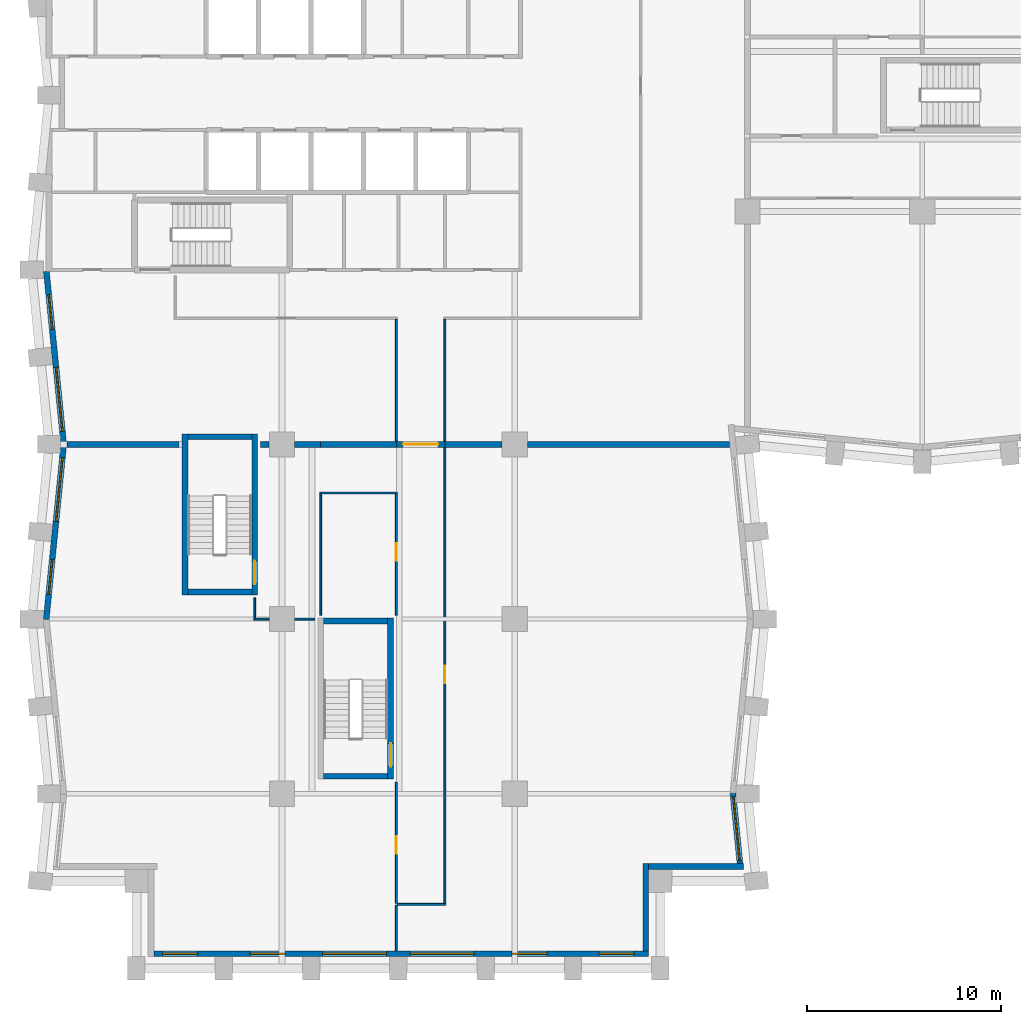
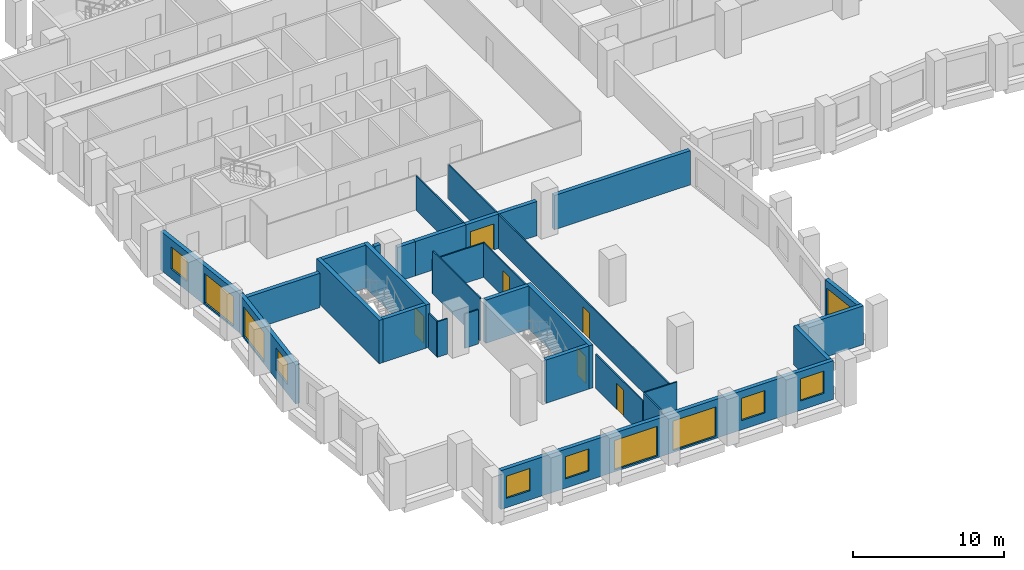
# One storey, part 3 of 11: 32 walls, 11 windows, 6 doors, 17 openings.
"""IFC4 building model written with IfcOpenShell, lengths in metres."""

from ifc_helpers import new_model, si_unit, direction, frame, frame_2d, origin, place, context, subcontext, project, spatial, rectangle, extrude, material, layer, layer_set, type_object, element, fill, save


model = new_model("IFC4")

# Units and contexts
model_context = context("Model", 3, precision=1e-05, world=origin(), true_north=direction((0.0, 1.0)))
body_context = subcontext(model_context, "Body", "Model", "MODEL_VIEW")
ifc_project = project(units=[si_unit("LENGTHUNIT", "METRE"), si_unit("AREAUNIT", "SQUARE_METRE"), si_unit("VOLUMEUNIT", "CUBIC_METRE"), si_unit("PLANEANGLEUNIT", "RADIAN"), si_unit("MASSUNIT", "GRAM", prefix="KILO")], contexts=[model_context])

# Site, building, storey
site_placement = place(None, origin())
site = spatial("IfcSite", under=ifc_project, at=site_placement, CompositionType="ELEMENT")
building_placement = place(site_placement, origin())
building = spatial("IfcBuilding", under=site, at=building_placement, Name="Brondeck Convention Tower", CompositionType="ELEMENT")
storey_placement = place(building_placement, frame((0.0, 0.0, 111.300048828125)))
storey = spatial("IfcBuildingStorey", under=building, at=storey_placement, Name="L26", CompositionType="ELEMENT", Elevation=111.300048828125)

# Walls
ifc_material_1 = material(Name="Concrete compartment wall C30/37", Category="concrete")
ifc_layer_1 = layer(ifc_material_1, 0.300048828125)
ifc_layer_set_1 = layer_set([ifc_layer_1], Name="Compartment wall 300")
wall_type_1 = type_object("IfcWallType", Name="Compartment wall 300", PredefinedType="PARTITIONING", material=ifc_layer_set_1)
wall_1_placement = place(storey_placement, frame((0.924560546875, 27.0, 0.0), z_axis=(0.0, 0.0, 1.0), x_axis=(1.0, 0.0, 0.0)))
element("IfcWall", 1, at=wall_1_placement, inside=storey, type_object=wall_type_1, Name="FLR-L26-W011", PredefinedType="PARTITIONING", context=body_context, shape_type="SweptSolid", body=[
    extrude(rectangle(XDim=5.775390625, YDim=0.300048828125, at=frame_2d((2.8876953125, 0.0))), origin(), (0.0, 0.0, 1.0), 2.780029296875),
])
wall_2_placement = place(storey_placement, frame((10.89990234375, 27.0, 0.0), z_axis=(0.0, 0.0, 1.0), x_axis=(1.0, 0.0, 0.0)))
element("IfcWall", 2, at=wall_2_placement, inside=storey, type_object=wall_type_1, Name="FLR-L26-W012", PredefinedType="PARTITIONING", context=body_context, shape_type="SweptSolid", body=[
    extrude(rectangle(XDim=0.445068359375, YDim=0.300048828125, at=frame_2d((0.22265625, 0.0))), origin(), (0.0, 0.0, 1.0), 3.47998046875),
])
wall_3_placement = place(storey_placement, frame((12.655029296875, 27.0, 0.0), z_axis=(0.0, 0.0, 1.0), x_axis=(1.0, 0.0, 0.0)))
element("IfcWall", 3, at=wall_3_placement, inside=storey, type_object=wall_type_1, Name="FLR-L26-W013", PredefinedType="PARTITIONING", context=body_context, shape_type="SweptSolid", body=[
    extrude(rectangle(XDim=1.344970703125, YDim=0.300048828125, at=frame_2d((0.67236328125, 0.0))), origin(), (0.0, 0.0, 1.0), 2.780029296875),
])
wall_4_placement = place(storey_placement, frame((14.0, 27.0, 0.0), z_axis=(0.0, 0.0, 1.0), x_axis=(1.0, 0.0, 0.0)))
element("IfcWall", 4, at=wall_4_placement, inside=storey, type_object=wall_type_1, Name="FLR-L26-W014", PredefinedType="PARTITIONING", context=body_context, shape_type="SweptSolid", body=[
    extrude(rectangle(XDim=3.89990234375, YDim=0.300048828125, at=frame_2d((1.949951171875, 0.0))), origin(), (0.0, 0.0, 1.0), 2.780029296875),
])

# Wall, opening, door
wall_5_placement = place(storey_placement, frame((20.39990234375, 27.0, 0.0), z_axis=(0.0, 0.0, 1.0), x_axis=(-1.0, 0.0, 0.0)))
wall_5 = element("IfcWall", 5, at=wall_5_placement, inside=storey, type_object=wall_type_1, Name="FLR-L26-W015", PredefinedType="PARTITIONING", context=body_context, shape_type="SweptSolid", body=[
    extrude(rectangle(XDim=2.5, YDim=0.300048828125, at=frame_2d((1.25, 0.0))), origin(), (0.0, 0.0, 1.0), 2.780029296875),
])
opening_1_placement = place(wall_5_placement, frame((0.35009765625, 0.0, 0.0)))
opening_1 = element("IfcOpeningElement", 6, at=opening_1_placement, cuts=wall_5, Name="Opening OF-C-020", PredefinedType="OPENING", context=body_context, shape_type="SweptSolid", body=[
    extrude(rectangle(XDim=1.800048828125, YDim=2.10009765625, at=frame_2d((0.89990234375, 1.050048828125))), frame((0.0, 0.159912109375, 0.0), z_axis=(0.0, -1.0, 0.0), x_axis=(1.0, 0.0, 0.0)), (0.0, 0.0, 1.0), 0.320068359375),
])
ifc_material_2 = material(Name="Steel fire door pair", Category="steel")
door_type_1 = type_object("IfcDoorType", Name="Fire door pair 1800", OperationType="DOUBLE_DOOR_SINGLE_SWING", PredefinedType="DOOR", material=ifc_material_2)
door_1_placement = place(opening_1_placement, origin())
door_1 = element("IfcDoor", 7, at=door_1_placement, inside=storey, type_object=door_type_1, Name="Door OF-C-020", OperationType="DOUBLE_DOOR_SINGLE_SWING", OverallHeight=2.10009765625, OverallWidth=1.800048828125, PredefinedType="DOOR", context=body_context, shape_type="SweptSolid", body=[
    extrude(rectangle(XDim=1.800048828125, YDim=2.10009765625, at=frame_2d((0.89990234375, 1.050048828125))), frame((0.0, 0.02490234375, 0.0), z_axis=(0.0, -1.0, 0.0), x_axis=(1.0, 0.0, 0.0)), (0.0, 0.0, 1.0), 0.050048828125),
])
fill(opening_1, door_1)

# Walls
wall_6_placement = place(storey_placement, frame((20.39990234375, 27.0, 0.0), z_axis=(0.0, 0.0, 1.0), x_axis=(1.0, 0.0, 0.0)))
element("IfcWall", 8, at=wall_6_placement, inside=storey, type_object=wall_type_1, Name="FLR-L26-W016", PredefinedType="PARTITIONING", context=body_context, shape_type="SweptSolid", body=[
    extrude(rectangle(XDim=2.945068359375, YDim=0.300048828125, at=frame_2d((1.47265625, 0.0))), origin(), (0.0, 0.0, 1.0), 2.780029296875),
])
wall_7_placement = place(storey_placement, frame((24.655029296875, 27.0, 0.0), z_axis=(0.0, 0.0, 1.0), x_axis=(1.0, 0.0, 0.0)))
element("IfcWall", 9, at=wall_7_placement, inside=storey, type_object=wall_type_1, Name="FLR-L26-W017", PredefinedType="PARTITIONING", context=body_context, shape_type="SweptSolid", body=[
    extrude(rectangle(XDim=10.42041015625, YDim=0.300048828125, at=frame_2d((5.210205078125, 0.0))), origin(), (0.0, 0.0, 1.0), 2.780029296875),
])

# Wall, openings, windows
ifc_material_3 = material(Name="Precast concrete C50/60 bronze finish", Category="concrete")
ifc_layer_2 = layer(ifc_material_3, 0.070068359375, Name="Bronze precast facing")
ifc_material_4 = material(Name="Mineral wool")
ifc_layer_3 = layer(ifc_material_4, 0.159912109375, Name="Insulation")
ifc_material_5 = material(Name="Concrete C35/45", Category="concrete")
ifc_layer_4 = layer(ifc_material_5, 0.070068359375, Name="Backing")
ifc_layer_set_2 = layer_set([ifc_layer_2, ifc_layer_3, ifc_layer_4], Name="External infill wall, precast concrete C50/60 bronze facing")
wall_type_2 = type_object("IfcWallType", Name="External infill wall, precast concrete C50/60 bronze facing", PredefinedType="SOLIDWALL", material=ifc_layer_set_2)
wall_8_placement = place(storey_placement, frame((30.89990234375, 0.75, 0.0), z_axis=(0.0, 0.0, 1.0), x_axis=(-1.0, 0.0, 0.0)))
wall_8 = element("IfcWall", 10, at=wall_8_placement, inside=storey, type_object=wall_type_2, Name="ENV-EW-L26-P0-B-S0-01", PredefinedType="SOLIDWALL", context=body_context, shape_type="SweptSolid", body=[
    extrude(rectangle(XDim=25.5, YDim=0.300048828125, at=frame_2d((12.75, 0.0))), origin(), (0.0, 0.0, 1.0), 3.14990234375),
])
opening_2_placement = place(wall_8_placement, frame((0.75, 0.0, 0.75)))
opening_2 = element("IfcOpeningElement", 11, at=opening_2_placement, cuts=wall_8, Name="Opening W10", PredefinedType="OPENING", context=body_context, shape_type="SweptSolid", body=[
    extrude(rectangle(XDim=1.800048828125, YDim=1.800048828125, at=frame_2d((0.89990234375, 0.89990234375))), frame((0.0, 0.159912109375, 0.0), z_axis=(0.0, -1.0, 0.0), x_axis=(1.0, 0.0, 0.0)), (0.0, 0.0, 1.0), 0.320068359375),
])
opening_3_placement = place(wall_8_placement, frame((5.25, 0.0, 0.75)))
opening_3 = element("IfcOpeningElement", 12, at=opening_3_placement, cuts=wall_8, Name="Opening W10", PredefinedType="OPENING", context=body_context, shape_type="SweptSolid", body=[
    extrude(rectangle(XDim=1.800048828125, YDim=1.800048828125, at=frame_2d((0.89990234375, 0.89990234375))), frame((0.0, 0.159912109375, 0.0), z_axis=(0.0, -1.0, 0.0), x_axis=(1.0, 0.0, 0.0)), (0.0, 0.0, 1.0), 0.320068359375),
])
opening_4_placement = place(wall_8_placement, frame((9.0, 0.0, 0.14990234375)))
opening_4 = element("IfcOpeningElement", 13, at=opening_4_placement, cuts=wall_8, Name="Opening W9", PredefinedType="OPENING", context=body_context, shape_type="SweptSolid", body=[
    extrude(rectangle(XDim=3.300048828125, YDim=2.39990234375, at=frame_2d((1.64990234375, 1.199951171875))), frame((0.0, 0.159912109375, 0.0), z_axis=(0.0, -1.0, 0.0), x_axis=(1.0, 0.0, 0.0)), (0.0, 0.0, 1.0), 0.320068359375),
])
opening_5_placement = place(wall_8_placement, frame((13.5, 0.0, 0.14990234375)))
opening_5 = element("IfcOpeningElement", 14, at=opening_5_placement, cuts=wall_8, Name="Opening W9", PredefinedType="OPENING", context=body_context, shape_type="SweptSolid", body=[
    extrude(rectangle(XDim=3.300048828125, YDim=2.39990234375, at=frame_2d((1.64990234375, 1.199951171875))), frame((0.0, 0.159912109375, 0.0), z_axis=(0.0, -1.0, 0.0), x_axis=(1.0, 0.0, 0.0)), (0.0, 0.0, 1.0), 0.320068359375),
])
opening_6_placement = place(wall_8_placement, frame((18.75, 0.0, 0.75)))
opening_6 = element("IfcOpeningElement", 15, at=opening_6_placement, cuts=wall_8, Name="Opening W10", PredefinedType="OPENING", context=body_context, shape_type="SweptSolid", body=[
    extrude(rectangle(XDim=1.800048828125, YDim=1.800048828125, at=frame_2d((0.89990234375, 0.89990234375))), frame((0.0, 0.159912109375, 0.0), z_axis=(0.0, -1.0, 0.0), x_axis=(1.0, 0.0, 0.0)), (0.0, 0.0, 1.0), 0.320068359375),
])
opening_7_placement = place(wall_8_placement, frame((23.25, 0.0, 0.75)))
opening_7 = element("IfcOpeningElement", 16, at=opening_7_placement, cuts=wall_8, Name="Opening W10", PredefinedType="OPENING", context=body_context, shape_type="SweptSolid", body=[
    extrude(rectangle(XDim=1.800048828125, YDim=1.800048828125, at=frame_2d((0.89990234375, 0.89990234375))), frame((0.0, 0.159912109375, 0.0), z_axis=(0.0, -1.0, 0.0), x_axis=(1.0, 0.0, 0.0)), (0.0, 0.0, 1.0), 0.320068359375),
])
ifc_material_6 = material(Name="Bronze tinted double glazing", Category="glass")
window_type_1 = type_object("IfcWindowType", Name="Glazed flute window, bronze tinted", PartitioningType="SINGLE_PANEL", PredefinedType="WINDOW", material=ifc_material_6)
window_1_placement = place(opening_4_placement, origin())
window_1 = element("IfcWindow", 17, at=window_1_placement, inside=storey, type_object=window_type_1, Name="ENV-WN-L26-P0-B-S0-04", OverallHeight=2.39990234375, OverallWidth=3.300048828125, PartitioningType="SINGLE_PANEL", PredefinedType="WINDOW", context=body_context, shape_type="SweptSolid", body=[
    extrude(rectangle(XDim=3.300048828125, YDim=2.39990234375, at=frame_2d((1.64990234375, 1.199951171875))), frame((0.0, 0.030029296875, 0.0), z_axis=(0.0, -1.0, 0.0), x_axis=(1.0, 0.0, 0.0)), (0.0, 0.0, 1.0), 0.06005859375),
])
fill(opening_4, window_1)
window_2_placement = place(opening_5_placement, origin())
window_2 = element("IfcWindow", 18, at=window_2_placement, inside=storey, type_object=window_type_1, Name="ENV-WN-L26-P0-B-S0-03", OverallHeight=2.39990234375, OverallWidth=3.300048828125, PartitioningType="SINGLE_PANEL", PredefinedType="WINDOW", context=body_context, shape_type="SweptSolid", body=[
    extrude(rectangle(XDim=3.300048828125, YDim=2.39990234375, at=frame_2d((1.64990234375, 1.199951171875))), frame((0.0, 0.030029296875, 0.0), z_axis=(0.0, -1.0, 0.0), x_axis=(1.0, 0.0, 0.0)), (0.0, 0.0, 1.0), 0.06005859375),
])
fill(opening_5, window_2)
window_type_2 = type_object("IfcWindowType", Name="Punched window, bronze tinted", PartitioningType="SINGLE_PANEL", PredefinedType="WINDOW", material=ifc_material_6)
window_3_placement = place(opening_2_placement, origin())
window_3 = element("IfcWindow", 19, at=window_3_placement, inside=storey, type_object=window_type_2, Name="ENV-WN-L26-P0-B-S0-06", OverallHeight=1.800048828125, OverallWidth=1.800048828125, PartitioningType="SINGLE_PANEL", PredefinedType="WINDOW", context=body_context, shape_type="SweptSolid", body=[
    extrude(rectangle(XDim=1.800048828125, YDim=1.800048828125, at=frame_2d((0.89990234375, 0.89990234375))), frame((0.0, 0.030029296875, 0.0), z_axis=(0.0, -1.0, 0.0), x_axis=(1.0, 0.0, 0.0)), (0.0, 0.0, 1.0), 0.06005859375),
])
fill(opening_2, window_3)
window_4_placement = place(opening_3_placement, origin())
window_4 = element("IfcWindow", 20, at=window_4_placement, inside=storey, type_object=window_type_2, Name="ENV-WN-L26-P0-B-S0-05", OverallHeight=1.800048828125, OverallWidth=1.800048828125, PartitioningType="SINGLE_PANEL", PredefinedType="WINDOW", context=body_context, shape_type="SweptSolid", body=[
    extrude(rectangle(XDim=1.800048828125, YDim=1.800048828125, at=frame_2d((0.89990234375, 0.89990234375))), frame((0.0, 0.030029296875, 0.0), z_axis=(0.0, -1.0, 0.0), x_axis=(1.0, 0.0, 0.0)), (0.0, 0.0, 1.0), 0.06005859375),
])
fill(opening_3, window_4)
window_5_placement = place(opening_6_placement, origin())
window_5 = element("IfcWindow", 21, at=window_5_placement, inside=storey, type_object=window_type_2, Name="ENV-WN-L26-P0-B-S0-02", OverallHeight=1.800048828125, OverallWidth=1.800048828125, PartitioningType="SINGLE_PANEL", PredefinedType="WINDOW", context=body_context, shape_type="SweptSolid", body=[
    extrude(rectangle(XDim=1.800048828125, YDim=1.800048828125, at=frame_2d((0.89990234375, 0.89990234375))), frame((0.0, 0.030029296875, 0.0), z_axis=(0.0, -1.0, 0.0), x_axis=(1.0, 0.0, 0.0)), (0.0, 0.0, 1.0), 0.06005859375),
])
fill(opening_6, window_5)
window_6_placement = place(opening_7_placement, origin())
window_6 = element("IfcWindow", 22, at=window_6_placement, inside=storey, type_object=window_type_2, Name="ENV-WN-L26-P0-B-S0-01", OverallHeight=1.800048828125, OverallWidth=1.800048828125, PartitioningType="SINGLE_PANEL", PredefinedType="WINDOW", context=body_context, shape_type="SweptSolid", body=[
    extrude(rectangle(XDim=1.800048828125, YDim=1.800048828125, at=frame_2d((0.89990234375, 0.89990234375))), frame((0.0, 0.030029296875, 0.0), z_axis=(0.0, -1.0, 0.0), x_axis=(1.0, 0.0, 0.0)), (0.0, 0.0, 1.0), 0.06005859375),
])
fill(opening_7, window_6)

# Walls
wall_9_placement = place(storey_placement, frame((30.75, 5.39990234375, 0.0), z_axis=(0.0, 0.0, 1.0), x_axis=(0.0, -1.0, 0.0)))
element("IfcWall", 23, at=wall_9_placement, inside=storey, type_object=wall_type_2, Name="ENV-EW-L26-P0-NC-SEB0-01", PredefinedType="SOLIDWALL", context=body_context, shape_type="SweptSolid", body=[
    extrude(rectangle(XDim=4.501953125, YDim=0.300048828125, at=frame_2d((2.2509765625, 0.0))), origin(), (0.0, 0.0, 1.0), 3.14990234375),
])
wall_10_placement = place(storey_placement, frame((35.787109375, 5.25, 0.0), z_axis=(0.0, 0.0, 1.0), x_axis=(-1.0, 0.0, 0.0)))
element("IfcWall", 24, at=wall_10_placement, inside=storey, type_object=wall_type_2, Name="ENV-EW-L26-P0-NC-SEB0-02", PredefinedType="SOLIDWALL", context=body_context, shape_type="SweptSolid", body=[
    extrude(rectangle(XDim=4.88720703125, YDim=0.300048828125, at=frame_2d((2.443603515625, 0.0))), origin(), (0.0, 0.0, 1.0), 3.14990234375),
])

# Wall, opening, window
wall_11_placement = place(storey_placement, frame((35.244873046875, 9.014892578125, 0.0), z_axis=(0.0, 0.0, 1.0), x_axis=(0.099470401798, -0.995040521369, 0.0)))
wall_11 = element("IfcWall", 25, at=wall_11_placement, inside=storey, type_object=wall_type_2, Name="ENV-EW-L26-P0-B-E-04", PredefinedType="SOLIDWALL", context=body_context, shape_type="SweptSolid", body=[
    extrude(rectangle(XDim=3.627685546875, YDim=0.300048828125, at=frame_2d((1.81396484375, 0.0))), origin(), (0.0, 0.0, 1.0), 3.14990234375),
])
opening_8_placement = place(wall_11_placement, frame((0.177734375, 0.0, 0.14990234375)))
opening_8 = element("IfcOpeningElement", 26, at=opening_8_placement, cuts=wall_11, Name="Opening W9", PredefinedType="OPENING", context=body_context, shape_type="SweptSolid", body=[
    extrude(rectangle(XDim=3.300048828125, YDim=2.39990234375, at=frame_2d((1.64990234375, 1.199951171875))), frame((0.0, 0.159912109375, 0.0), z_axis=(0.0, -1.0, 0.0), x_axis=(1.0, 0.0, 0.0)), (0.0, 0.0, 1.0), 0.320068359375),
])
window_7_placement = place(opening_8_placement, origin())
window_7 = element("IfcWindow", 27, at=window_7_placement, inside=storey, type_object=window_type_1, Name="ENV-WN-L26-P0-B-E-04", OverallHeight=2.39990234375, OverallWidth=3.300048828125, PartitioningType="SINGLE_PANEL", PredefinedType="WINDOW", context=body_context, shape_type="SweptSolid", body=[
    extrude(rectangle(XDim=3.300048828125, YDim=2.39990234375, at=frame_2d((1.64990234375, 1.199951171875))), frame((0.0, 0.030029296875, 0.0), z_axis=(0.0, -1.0, 0.0), x_axis=(1.0, 0.0, 0.0)), (0.0, 0.0, 1.0), 0.06005859375),
])
fill(opening_8, window_7)

# Wall, openings, windows
wall_12_placement = place(storey_placement, frame((0.755126953125, 26.985107421875, 0.0), z_axis=(0.0, 0.0, 1.0), x_axis=(-0.099479505633, 0.995039611251, 0.0)))
wall_12 = element("IfcWall", 28, at=wall_12_placement, inside=storey, type_object=wall_type_2, Name="ENV-EW-L26-P0-B-W-06", PredefinedType="SOLIDWALL", context=body_context, shape_type="SweptSolid", body=[
    extrude(rectangle(XDim=8.98486328125, YDim=0.300048828125, at=frame_2d((4.492431640625, 0.0))), origin(), (0.0, 0.0, 1.0), 3.14990234375),
])
opening_9_placement = place(wall_12_placement, frame((0.701171875, 0.0, 0.14990234375)))
opening_9 = element("IfcOpeningElement", 29, at=opening_9_placement, cuts=wall_12, Name="Opening W9", PredefinedType="OPENING", context=body_context, shape_type="SweptSolid", body=[
    extrude(rectangle(XDim=3.300048828125, YDim=2.39990234375, at=frame_2d((1.64990234375, 1.199951171875))), frame((0.0, 0.159912109375, 0.0), z_axis=(0.0, -1.0, 0.0), x_axis=(1.0, 0.0, 0.0)), (0.0, 0.0, 1.0), 0.320068359375),
])
opening_10_placement = place(wall_12_placement, frame((5.9736328125, 0.0, 0.75)))
opening_10 = element("IfcOpeningElement", 30, at=opening_10_placement, cuts=wall_12, Name="Opening W10", PredefinedType="OPENING", context=body_context, shape_type="SweptSolid", body=[
    extrude(rectangle(XDim=1.800048828125, YDim=1.800048828125, at=frame_2d((0.89990234375, 0.89990234375))), frame((0.0, 0.159912109375, 0.0), z_axis=(0.0, -1.0, 0.0), x_axis=(1.0, 0.0, 0.0)), (0.0, 0.0, 1.0), 0.320068359375),
])
window_8_placement = place(opening_9_placement, origin())
window_8 = element("IfcWindow", 31, at=window_8_placement, inside=storey, type_object=window_type_1, Name="ENV-WN-L26-P0-B-W-07", OverallHeight=2.39990234375, OverallWidth=3.300048828125, PartitioningType="SINGLE_PANEL", PredefinedType="WINDOW", context=body_context, shape_type="SweptSolid", body=[
    extrude(rectangle(XDim=3.300048828125, YDim=2.39990234375, at=frame_2d((1.64990234375, 1.199951171875))), frame((0.0, 0.030029296875, 0.0), z_axis=(0.0, -1.0, 0.0), x_axis=(1.0, 0.0, 0.0)), (0.0, 0.0, 1.0), 0.06005859375),
])
fill(opening_9, window_8)
window_9_placement = place(opening_10_placement, origin())
window_9 = element("IfcWindow", 32, at=window_9_placement, inside=storey, type_object=window_type_2, Name="ENV-WN-L26-P0-B-W-06", OverallHeight=1.800048828125, OverallWidth=1.800048828125, PartitioningType="SINGLE_PANEL", PredefinedType="WINDOW", context=body_context, shape_type="SweptSolid", body=[
    extrude(rectangle(XDim=1.800048828125, YDim=1.800048828125, at=frame_2d((0.89990234375, 0.89990234375))), frame((0.0, 0.030029296875, 0.0), z_axis=(0.0, -1.0, 0.0), x_axis=(1.0, 0.0, 0.0)), (0.0, 0.0, 1.0), 0.06005859375),
])
fill(opening_10, window_9)

wall_13_placement = place(storey_placement, frame((-0.147705078125, 17.985107421875, 0.0), z_axis=(0.0, 0.0, 1.0), x_axis=(0.099495688264, 0.995037993253, 0.0)))
wall_13 = element("IfcWall", 33, at=wall_13_placement, inside=storey, type_object=wall_type_2, Name="ENV-EW-L26-P0-B-W-08", PredefinedType="SOLIDWALL", context=body_context, shape_type="SweptSolid", body=[
    extrude(rectangle(XDim=9.030029296875, YDim=0.300048828125, at=frame_2d((4.51513671875, 0.0))), origin(), (0.0, 0.0, 1.0), 3.14990234375),
])
opening_11_placement = place(wall_13_placement, frame((1.30126953125, 0.0, 0.75)))
opening_11 = element("IfcOpeningElement", 34, at=opening_11_placement, cuts=wall_13, Name="Opening W10", PredefinedType="OPENING", context=body_context, shape_type="SweptSolid", body=[
    extrude(rectangle(XDim=1.800048828125, YDim=1.800048828125, at=frame_2d((0.89990234375, 0.89990234375))), frame((0.0, 0.159912109375, 0.0), z_axis=(0.0, -1.0, 0.0), x_axis=(1.0, 0.0, 0.0)), (0.0, 0.0, 1.0), 0.320068359375),
])
opening_12_placement = place(wall_13_placement, frame((5.073486328125, 0.0, 0.14990234375)))
opening_12 = element("IfcOpeningElement", 35, at=opening_12_placement, cuts=wall_13, Name="Opening W9", PredefinedType="OPENING", context=body_context, shape_type="SweptSolid", body=[
    extrude(rectangle(XDim=3.300048828125, YDim=2.39990234375, at=frame_2d((1.64990234375, 1.199951171875))), frame((0.0, 0.159912109375, 0.0), z_axis=(0.0, -1.0, 0.0), x_axis=(1.0, 0.0, 0.0)), (0.0, 0.0, 1.0), 0.320068359375),
])
window_10_placement = place(opening_12_placement, origin())
window_10 = element("IfcWindow", 36, at=window_10_placement, inside=storey, type_object=window_type_1, Name="ENV-WN-L26-P0-B-W-08", OverallHeight=2.39990234375, OverallWidth=3.300048828125, PartitioningType="SINGLE_PANEL", PredefinedType="WINDOW", context=body_context, shape_type="SweptSolid", body=[
    extrude(rectangle(XDim=3.300048828125, YDim=2.39990234375, at=frame_2d((1.64990234375, 1.199951171875))), frame((0.0, 0.030029296875, 0.0), z_axis=(0.0, -1.0, 0.0), x_axis=(1.0, 0.0, 0.0)), (0.0, 0.0, 1.0), 0.06005859375),
])
fill(opening_12, window_10)
window_11_placement = place(opening_11_placement, origin())
window_11 = element("IfcWindow", 37, at=window_11_placement, inside=storey, type_object=window_type_2, Name="ENV-WN-L26-P0-B-W-09", OverallHeight=1.800048828125, OverallWidth=1.800048828125, PartitioningType="SINGLE_PANEL", PredefinedType="WINDOW", context=body_context, shape_type="SweptSolid", body=[
    extrude(rectangle(XDim=1.800048828125, YDim=1.800048828125, at=frame_2d((0.89990234375, 0.89990234375))), frame((0.0, 0.030029296875, 0.0), z_axis=(0.0, -1.0, 0.0), x_axis=(1.0, 0.0, 0.0)), (0.0, 0.0, 1.0), 0.06005859375),
])
fill(opening_11, window_11)

# Walls
ifc_material_7 = material(Name="Gypsum board partition on steel studs", Category="steel")
ifc_layer_5 = layer(ifc_material_7, 0.10009765625)
ifc_layer_set_3 = layer_set([ifc_layer_5], Name="Room partition 100")
wall_type_3 = type_object("IfcWallType", Name="Room partition 100", PredefinedType="PARTITIONING", material=ifc_layer_set_3)
wall_14_placement = place(storey_placement, frame((17.89990234375, 0.919921875, 0.0), z_axis=(0.0, 0.0, 1.0), x_axis=(0.0, 1.0, 0.0)))
element("IfcWall", 38, at=wall_14_placement, inside=storey, type_object=wall_type_3, Name="FLR-L26-W001", PredefinedType="PARTITIONING", context=body_context, shape_type="SweptSolid", body=[
    extrude(rectangle(XDim=2.330078125, YDim=0.10009765625, at=frame_2d((1.1650390625, 0.0))), origin(), (0.0, 0.0, 1.0), 3.47998046875),
])
wall_15_placement = place(storey_placement, frame((20.449951171875, 3.300048828125, 0.0), z_axis=(0.0, 0.0, 1.0), x_axis=(-1.0, 0.0, 0.0)))
element("IfcWall", 39, at=wall_15_placement, inside=storey, type_object=wall_type_3, Name="FLR-L26-W002", PredefinedType="PARTITIONING", context=body_context, shape_type="SweptSolid", body=[
    extrude(rectangle(XDim=2.5, YDim=0.10009765625, at=frame_2d((1.25, 0.0))), origin(), (0.0, 0.0, 1.0), 3.47998046875),
])

# Wall, opening, door
wall_16_placement = place(storey_placement, frame((17.89990234375, 3.35009765625, 0.0), z_axis=(0.0, 0.0, 1.0), x_axis=(0.0, 1.0, 0.0)))
wall_16 = element("IfcWall", 40, at=wall_16_placement, inside=storey, type_object=wall_type_3, Name="FLR-L26-W003", PredefinedType="PARTITIONING", context=body_context, shape_type="SweptSolid", body=[
    extrude(rectangle(XDim=6.25, YDim=0.10009765625, at=frame_2d((3.125, 0.0))), origin(), (0.0, 0.0, 1.0), 2.780029296875),
])
opening_13_placement = place(wall_16_placement, frame((2.550048828125, 0.0, 0.0)))
opening_13 = element("IfcOpeningElement", 41, at=opening_13_placement, cuts=wall_16, Name="Opening OF-C-017", PredefinedType="OPENING", context=body_context, shape_type="SweptSolid", body=[
    extrude(rectangle(XDim=0.89990234375, YDim=2.10009765625, at=frame_2d((0.449951171875, 1.050048828125))), frame((0.0, 0.06005859375, 0.0), z_axis=(0.0, -1.0, 0.0), x_axis=(1.0, 0.0, 0.0)), (0.0, 0.0, 1.0), 0.1201171875),
])
ifc_material_8 = material(Name="Solid timber door leaf", Category="wood")
door_type_2 = type_object("IfcDoorType", Name="Single door 900", OperationType="NOTDEFINED", PredefinedType="DOOR", material=ifc_material_8)
door_2_placement = place(opening_13_placement, origin())
door_2 = element("IfcDoor", 42, at=door_2_placement, inside=storey, type_object=door_type_2, Name="Door OF-C-017", OperationType="SINGLE_SWING_LEFT", OverallHeight=2.10009765625, OverallWidth=0.89990234375, PredefinedType="DOOR", context=body_context, shape_type="SweptSolid", body=[
    extrude(rectangle(XDim=0.89990234375, YDim=2.10009765625, at=frame_2d((0.449951171875, 1.050048828125))), frame((0.0, 0.02490234375, 0.0), z_axis=(0.0, -1.0, 0.0), x_axis=(1.0, 0.0, 0.0)), (0.0, 0.0, 1.0), 0.050048828125),
])
fill(opening_13, door_2)

# Walls
wall_17_placement = place(storey_placement, frame((11.344970703125, 18.0, 0.0), z_axis=(0.0, 0.0, 1.0), x_axis=(-1.0, 0.0, 0.0)))
element("IfcWall", 43, at=wall_17_placement, inside=storey, type_object=wall_type_3, Name="FLR-L26-W004", PredefinedType="PARTITIONING", context=body_context, shape_type="SweptSolid", body=[
    extrude(rectangle(XDim=0.794921875, YDim=0.10009765625, at=frame_2d((0.3974609375, 0.0))), origin(), (0.0, 0.0, 1.0), 2.8798828125),
])
wall_18_placement = place(storey_placement, frame((13.699951171875, 18.0, 0.0), z_axis=(0.0, 0.0, 1.0), x_axis=(-1.0, 0.0, 0.0)))
element("IfcWall", 44, at=wall_18_placement, inside=storey, type_object=wall_type_3, Name="FLR-L26-W005", PredefinedType="PARTITIONING", context=body_context, shape_type="SweptSolid", body=[
    extrude(rectangle(XDim=1.044921875, YDim=0.10009765625, at=frame_2d((0.5224609375, 0.0))), origin(), (0.0, 0.0, 1.0), 2.780029296875),
])
wall_19_placement = place(storey_placement, frame((10.60009765625, 18.050048828125, 0.0), z_axis=(0.0, 0.0, 1.0), x_axis=(0.0, 1.0, 0.0)))
element("IfcWall", 45, at=wall_19_placement, inside=storey, type_object=wall_type_3, Name="FLR-L26-W006", PredefinedType="PARTITIONING", context=body_context, shape_type="SweptSolid", body=[
    extrude(rectangle(XDim=1.050048828125, YDim=0.10009765625, at=frame_2d((0.52490234375, 0.0))), origin(), (0.0, 0.0, 1.0), 2.8798828125),
])

# Wall, opening, door
wall_20_placement = place(storey_placement, frame((17.89990234375, 18.199951171875, 0.0), z_axis=(0.0, 0.0, 1.0), x_axis=(0.0, 1.0, 0.0)))
wall_20 = element("IfcWall", 46, at=wall_20_placement, inside=storey, type_object=wall_type_3, Name="FLR-L26-W007", PredefinedType="PARTITIONING", context=body_context, shape_type="SweptSolid", body=[
    extrude(rectangle(XDim=6.25, YDim=0.10009765625, at=frame_2d((3.125, 0.0))), origin(), (0.0, 0.0, 1.0), 2.780029296875),
])
opening_14_placement = place(wall_20_placement, frame((2.800048828125, 0.0, 0.0)))
opening_14 = element("IfcOpeningElement", 47, at=opening_14_placement, cuts=wall_20, Name="Opening OF-C-001", PredefinedType="OPENING", context=body_context, shape_type="SweptSolid", body=[
    extrude(rectangle(XDim=0.89990234375, YDim=2.10009765625, at=frame_2d((0.449951171875, 1.050048828125))), frame((0.0, 0.06005859375, 0.0), z_axis=(0.0, -1.0, 0.0), x_axis=(1.0, 0.0, 0.0)), (0.0, 0.0, 1.0), 0.1201171875),
])
door_3_placement = place(opening_14_placement, origin())
door_3 = element("IfcDoor", 48, at=door_3_placement, inside=storey, type_object=door_type_2, Name="Door OF-C-001", OperationType="SINGLE_SWING_LEFT", OverallHeight=2.10009765625, OverallWidth=0.89990234375, PredefinedType="DOOR", context=body_context, shape_type="SweptSolid", body=[
    extrude(rectangle(XDim=0.89990234375, YDim=2.10009765625, at=frame_2d((0.449951171875, 1.050048828125))), frame((0.0, 0.02490234375, 0.0), z_axis=(0.0, -1.0, 0.0), x_axis=(1.0, 0.0, 0.0)), (0.0, 0.0, 1.0), 0.050048828125),
])
fill(opening_14, door_3)

# Walls
wall_21_placement = place(storey_placement, frame((14.0, 24.449951171875, 0.0), z_axis=(0.0, 0.0, 1.0), x_axis=(0.0, -1.0, 0.0)))
element("IfcWall", 49, at=wall_21_placement, inside=storey, type_object=wall_type_3, Name="FLR-L26-W008", PredefinedType="PARTITIONING", context=body_context, shape_type="SweptSolid", body=[
    extrude(rectangle(XDim=6.25, YDim=0.10009765625, at=frame_2d((3.125, 0.0))), origin(), (0.0, 0.0, 1.0), 3.47998046875),
])
wall_22_placement = place(storey_placement, frame((17.949951171875, 24.5, 0.0), z_axis=(0.0, 0.0, 1.0), x_axis=(-1.0, 0.0, 0.0)))
element("IfcWall", 50, at=wall_22_placement, inside=storey, type_object=wall_type_3, Name="FLR-L26-W009", PredefinedType="PARTITIONING", context=body_context, shape_type="SweptSolid", body=[
    extrude(rectangle(XDim=4.0, YDim=0.10009765625, at=frame_2d((2.0, 0.0))), origin(), (0.0, 0.0, 1.0), 2.780029296875),
])

# Wall, opening, door
wall_23_placement = place(storey_placement, frame((20.39990234375, 26.830078125, 0.0), z_axis=(0.0, 0.0, 1.0), x_axis=(0.0, -1.0, 0.0)))
wall_23 = element("IfcWall", 51, at=wall_23_placement, inside=storey, type_object=wall_type_3, Name="FLR-L26-W010", PredefinedType="PARTITIONING", context=body_context, shape_type="SweptSolid", body=[
    extrude(rectangle(XDim=23.47998046875, YDim=0.10009765625, at=frame_2d((11.739990234375, 0.0))), origin(), (0.0, 0.0, 1.0), 2.780029296875),
])
opening_15_placement = place(wall_23_placement, frame((11.22998046875, 0.0, 0.0)))
opening_15 = element("IfcOpeningElement", 52, at=opening_15_placement, cuts=wall_23, Name="Opening OF-C-016", PredefinedType="OPENING", context=body_context, shape_type="SweptSolid", body=[
    extrude(rectangle(XDim=0.89990234375, YDim=2.10009765625, at=frame_2d((0.449951171875, 1.050048828125))), frame((0.0, 0.06005859375, 0.0), z_axis=(0.0, -1.0, 0.0), x_axis=(1.0, 0.0, 0.0)), (0.0, 0.0, 1.0), 0.1201171875),
])
door_4_placement = place(opening_15_placement, origin())
door_4 = element("IfcDoor", 53, at=door_4_placement, inside=storey, type_object=door_type_2, Name="Door OF-C-016", OperationType="SINGLE_SWING_LEFT", OverallHeight=2.10009765625, OverallWidth=0.89990234375, PredefinedType="DOOR", context=body_context, shape_type="SweptSolid", body=[
    extrude(rectangle(XDim=0.89990234375, YDim=2.10009765625, at=frame_2d((0.449951171875, 1.050048828125))), frame((0.0, 0.02490234375, 0.0), z_axis=(0.0, -1.0, 0.0), x_axis=(1.0, 0.0, 0.0)), (0.0, 0.0, 1.0), 0.050048828125),
])
fill(opening_15, door_4)

# Walls
for number, where, z_axis, x_axis, name in (
    (54, (17.89990234375, 27.169921875, 0.0), (0.0, 0.0, 1.0), (0.0, 1.0, 0.0), "FLR-L26-W018"),
    (55, (20.39990234375, 33.449951171875, 0.0), (0.0, 0.0, 1.0), (0.0, -1.0, 0.0), "FLR-L26-W020"),
):
    element("IfcWall", number, at=place(storey_placement, frame(where, z_axis=z_axis, x_axis=x_axis)), inside=storey, type_object=wall_type_3, Name=name, PredefinedType="PARTITIONING", context=body_context, shape_type="SweptSolid", body=[
        extrude(rectangle(XDim=6.280029296875, YDim=0.10009765625, at=frame_2d((3.14013671875, 0.0))), origin(), (0.0, 0.0, 1.0), 2.780029296875),
    ])
ifc_material_9 = material(Name="Concrete C70/85", Category="concrete")
ifc_layer_6 = layer(ifc_material_9, 0.300048828125)
ifc_layer_set_4 = layer_set([ifc_layer_6], Name="Stair enclosure wall 300 Concrete C70/85")
wall_type_4 = type_object("IfcWallType", Name="Stair enclosure wall 300 Concrete C70/85", PredefinedType="SHEAR", material=ifc_layer_set_4)
for number, where, z_axis, x_axis, name in (
    (56, (14.14990234375, 9.89990234375, 0.0), (0.0, 0.0, 1.0), (1.0, 0.0, 0.0), "L26 core wall"),
    (57, (14.14990234375, 17.89990234375, 0.0), (0.0, 0.0, 1.0), (1.0, 0.0, 0.0), "L26 core wall"),
    (58, (7.14990234375, 19.39990234375, 0.0), (0.0, 0.0, 1.0), (1.0, 0.0, 0.0), "L26 core wall"),
    (59, (7.14990234375, 27.39990234375, 0.0), (0.0, 0.0, 1.0), (1.0, 0.0, 0.0), "L26 core wall"),
):
    element("IfcWall", number, at=place(storey_placement, frame(where, z_axis=z_axis, x_axis=x_axis)), inside=storey, type_object=wall_type_4, Name=name, PredefinedType="SHEAR", context=body_context, shape_type="SweptSolid", body=[
        extrude(rectangle(XDim=3.300048828125, YDim=0.300048828125, at=frame_2d((1.64990234375, 0.0))), origin(), (0.0, 0.0, 1.0), 3.5),
    ])
wall_24_placement = place(storey_placement, frame((7.0, 19.25, 0.0), z_axis=(0.0, 0.0, 1.0), x_axis=(0.0, 1.0, 0.0)))
element("IfcWall", 60, at=wall_24_placement, inside=storey, type_object=wall_type_4, Name="L26 core wall", PredefinedType="SHEAR", context=body_context, shape_type="SweptSolid", body=[
    extrude(rectangle(XDim=8.300048828125, YDim=0.300048828125, at=frame_2d((4.14990234375, 0.0))), origin(), (0.0, 0.0, 1.0), 3.5),
])

# Wall, opening, door
wall_25_placement = place(storey_placement, frame((10.60009765625, 19.25, 0.0), z_axis=(0.0, 0.0, 1.0), x_axis=(0.0, 1.0, 0.0)))
wall_25 = element("IfcWall", 61, at=wall_25_placement, inside=storey, type_object=wall_type_4, Name="L26 core wall", PredefinedType="SHEAR", context=body_context, shape_type="SweptSolid", body=[
    extrude(rectangle(XDim=8.300048828125, YDim=0.300048828125, at=frame_2d((4.14990234375, 0.0))), origin(), (0.0, 0.0, 1.0), 3.5),
])
opening_16_placement = place(wall_25_placement, frame((0.550048828125, 0.0, 0.0)))
opening_16 = element("IfcOpeningElement", 62, at=opening_16_placement, cuts=wall_25, Name="Opening C16-22", PredefinedType="OPENING", context=body_context, shape_type="SweptSolid", body=[
    extrude(rectangle(XDim=1.199951171875, YDim=2.199951171875, at=frame_2d((0.60009765625, 1.10009765625))), frame((0.0, 0.159912109375, 0.0), z_axis=(0.0, -1.0, 0.0), x_axis=(1.0, 0.0, 0.0)), (0.0, 0.0, 1.0), 0.320068359375),
])
ifc_material_10 = material(Name="Steel fire door", Category="steel")
door_type_3 = type_object("IfcDoorType", Name="Stair door 1200x2200 EI 90", OperationType="NOTDEFINED", PredefinedType="DOOR", material=ifc_material_10)
door_5_placement = place(opening_16_placement, origin())
door_5 = element("IfcDoor", 63, at=door_5_placement, inside=storey, type_object=door_type_3, Name="L26 Stair door ST-BE", OperationType="SINGLE_SWING_RIGHT", OverallHeight=2.199951171875, OverallWidth=1.199951171875, PredefinedType="DOOR", context=body_context, shape_type="SweptSolid", body=[
    extrude(rectangle(XDim=1.199951171875, YDim=2.199951171875, at=frame_2d((0.60009765625, 1.10009765625))), frame((0.0, 0.02490234375, 0.0), z_axis=(0.0, -1.0, 0.0), x_axis=(1.0, 0.0, 0.0)), (0.0, 0.0, 1.0), 0.050048828125),
])
fill(opening_16, door_5)

wall_26_placement = place(storey_placement, frame((17.60009765625, 9.75, 0.0), z_axis=(0.0, 0.0, 1.0), x_axis=(0.0, 1.0, 0.0)))
wall_26 = element("IfcWall", 64, at=wall_26_placement, inside=storey, type_object=wall_type_4, Name="L26 core wall", PredefinedType="SHEAR", context=body_context, shape_type="SweptSolid", body=[
    extrude(rectangle(XDim=8.300048828125, YDim=0.300048828125, at=frame_2d((4.14990234375, 0.0))), origin(), (0.0, 0.0, 1.0), 3.5),
])
opening_17_placement = place(wall_26_placement, frame((0.64990234375, 0.0, 0.0)))
opening_17 = element("IfcOpeningElement", 65, at=opening_17_placement, cuts=wall_26, Name="Opening C16-23", PredefinedType="OPENING", context=body_context, shape_type="SweptSolid", body=[
    extrude(rectangle(XDim=1.199951171875, YDim=2.199951171875, at=frame_2d((0.60009765625, 1.10009765625))), frame((0.0, 0.159912109375, 0.0), z_axis=(0.0, -1.0, 0.0), x_axis=(1.0, 0.0, 0.0)), (0.0, 0.0, 1.0), 0.320068359375),
])
door_6_placement = place(opening_17_placement, origin())
door_6 = element("IfcDoor", 66, at=door_6_placement, inside=storey, type_object=door_type_3, Name="L26 Stair door ST-BF", OperationType="SINGLE_SWING_LEFT", OverallHeight=2.199951171875, OverallWidth=1.199951171875, PredefinedType="DOOR", context=body_context, shape_type="SweptSolid", body=[
    extrude(rectangle(XDim=1.199951171875, YDim=2.199951171875, at=frame_2d((0.60009765625, 1.10009765625))), frame((0.0, 0.02490234375, 0.0), z_axis=(0.0, -1.0, 0.0), x_axis=(1.0, 0.0, 0.0)), (0.0, 0.0, 1.0), 0.050048828125),
])
fill(opening_17, door_6)

save(model, "model.ifc")
